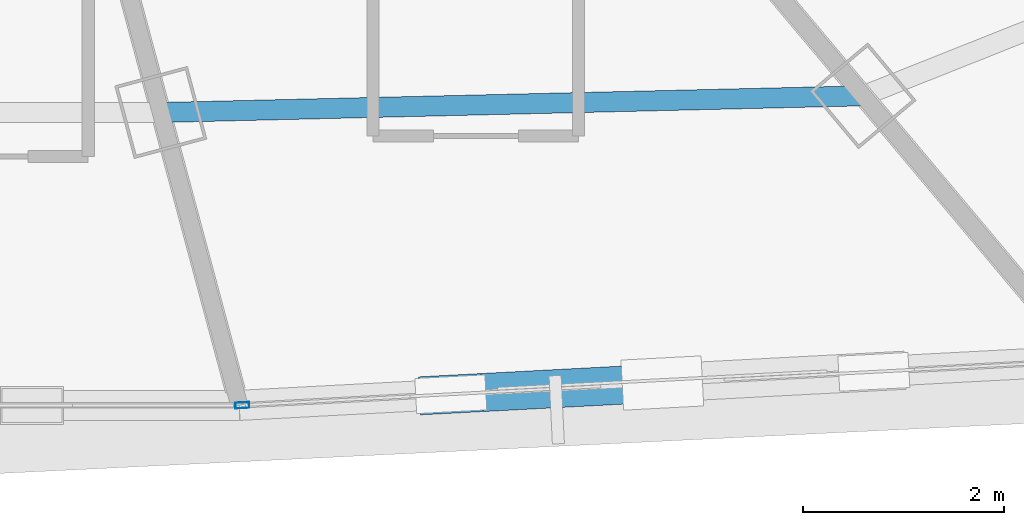
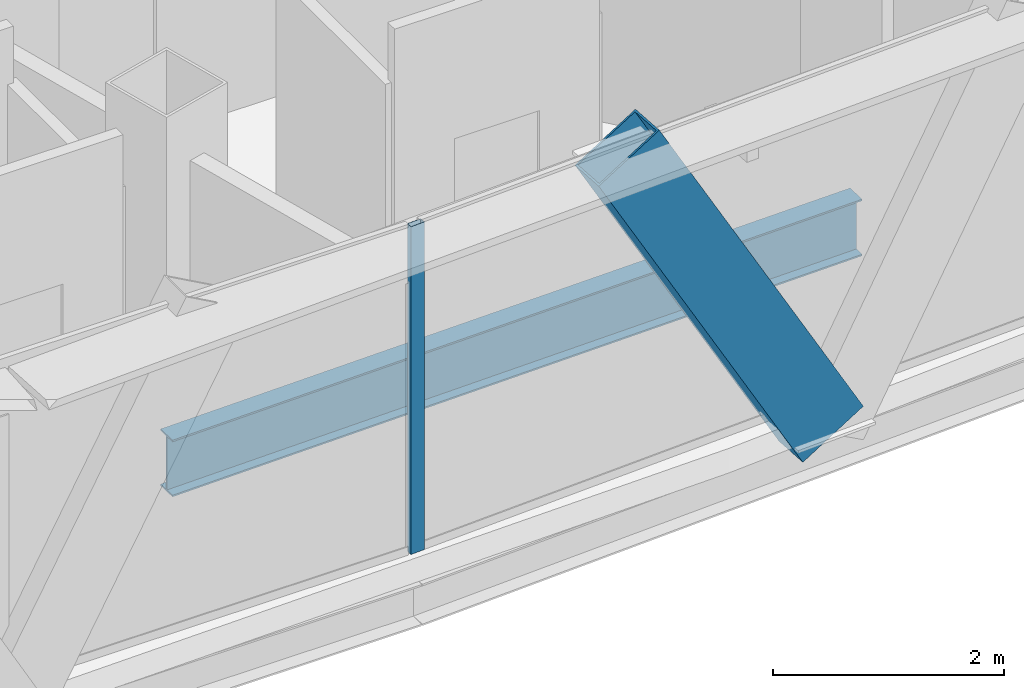
# One storey, part 10 of 37: 2 members, 1 beam, 1 element without a shape of its own.
"""IFC4 building model written with IfcOpenShell, lengths in metres."""

from ifc_helpers import new_model, si_unit, direction, frame, origin, origin_2d, place, context, subcontext, project, spatial, hollow_rectangle, i_section, extrude, source, transform, mapped, material, layer, layer_set, material_profile, profile_set, type_object, element, aggregate, save


model = new_model("IFC4")

# Units and contexts
model_context = context("Model", 3, precision=1e-05, world=origin(), true_north=direction((0.0, 1.0)))
body_context = subcontext(model_context, "Body", "Model", "MODEL_VIEW")
ifc_project = project(units=[si_unit("LENGTHUNIT", "METRE"), si_unit("AREAUNIT", "SQUARE_METRE"), si_unit("VOLUMEUNIT", "CUBIC_METRE"), si_unit("PLANEANGLEUNIT", "RADIAN"), si_unit("MASSUNIT", "GRAM", prefix="KILO"), si_unit("THERMODYNAMICTEMPERATUREUNIT", "KELVIN"), si_unit("POWERUNIT", "WATT")], contexts=[model_context])

# Site, building, storey
site_placement = place(None, origin())
site = spatial("IfcSite", under=ifc_project, at=site_placement, CompositionType="ELEMENT")
building_placement = place(site_placement, origin())
building = spatial("IfcBuilding", under=site, at=building_placement, Name="Yunzhuo Pagoda Commons", CompositionType="ELEMENT")
storey_placement = place(building_placement, frame((0.0, 0.0, 281.2900390625)))
storey = spatial("IfcBuildingStorey", under=building, at=storey_placement, Name="L70", CompositionType="ELEMENT", Elevation=281.2900390625)

# Beam
ifc_material_1 = material(Name="Structural steel Q355B", Category="steel")
ifc_material_profile_1 = material_profile(ifc_material_1, i_section(OverallWidth=0.199951171875, OverallDepth=0.60009765625, WebThickness=0.010986328125, FlangeThickness=0.01708984375, at=origin_2d()), Name="Structural steel Q355B")
ifc_profile_set_1 = profile_set([ifc_material_profile_1], Name="Structural steel Q355B")
beam_type = type_object("IfcBeamType", Name="B-RG3 Beam HN 600x200x11x17", PredefinedType="BEAM", material=ifc_profile_set_1)
shared_shape_1 = source(origin(), body_context, "Body", "SweptSolid", [
    extrude(i_section(OverallWidth=0.199951171875, OverallDepth=0.60009765625, WebThickness=0.010986328125, FlangeThickness=0.01708984375, at=origin_2d()), origin(), (0.0, 0.0, 1.0), 7.0048828125),
])
beam_placement = place(storey_placement, frame((51.3505859375, 21.195556640625, -0.559814453125), z_axis=(0.99971911704, 0.023699937233, 0.0), x_axis=(-0.023699937233, 0.99971911704, 0.0)))
element("IfcBeam", 1, at=beam_placement, inside=storey, type_object=beam_type, Name="L70 column-ring beam 3", PredefinedType="BEAM", context=body_context, shape_type="MappedRepresentation", body=[
    mapped(shared_shape_1, transform((0.0, 0.0, 0.0), scale=1.0)),
])

# Member
ifc_material_profile_2 = material_profile(ifc_material_1, hollow_rectangle(XDim=0.3798828125, YDim=0.719970703125, WallThickness=0.02001953125, at=origin_2d()), Name="Structural steel Q355B")
ifc_profile_set_2 = profile_set([ifc_material_profile_2], Name="Structural steel Q355B")
member_type_1 = type_object("IfcMemberType", Name="M-DL3 Brace BOX 720x380x20", PredefinedType="BRACE", material=ifc_profile_set_2)
shared_shape_2 = source(origin(), body_context, "Body", "SweptSolid", [
    extrude(hollow_rectangle(XDim=0.3798828125, YDim=0.719970703125, WallThickness=0.02001953125, at=origin_2d()), origin(), (0.0, 0.0, 1.0), 4.286376953125),
])
member_1_placement = place(storey_placement, frame((56.350830078125, 18.498291015625, -0.260009765625), z_axis=(-0.492003137812, -0.026029802498, 0.870204206934), x_axis=(0.052831878149, -0.998603421109, 0.0)))
element("IfcMember", 2, at=member_1_placement, inside=storey, type_object=member_type_1, Name="L70 facade diamond brace F1.3L", PredefinedType="BRACE", context=body_context, shape_type="MappedRepresentation", body=[
    mapped(shared_shape_2, transform((0.0, 0.0, 0.0), scale=1.0)),
])

# Curtain wall, member
ifc_material_2 = material(Name="Anodized aluminium 6063-T6", Category="aluminium")
ifc_layer = layer(ifc_material_2, 0.139892578125)
ifc_layer_set = layer_set([ifc_layer], Name="Anodized aluminium 6063-T6")
curtain_wall_type = type_object("IfcCurtainWallType", Name="CW-HI High-Zone Ribbon Curtain Wall", PredefinedType="NOTDEFINED", material=ifc_layer_set)
curtain_wall_placement = place(storey_placement, origin())
curtain_wall = element("IfcCurtainWall", 3, at=curtain_wall_placement, inside=storey, type_object=curtain_wall_type, Name="L70 curtain wall CW-L70-F1B4", PredefinedType="NOTDEFINED")
ifc_material_profile_3 = material_profile(ifc_material_2, hollow_rectangle(XDim=0.06005859375, YDim=0.139892578125, WallThickness=0.00341796875, at=origin_2d()), Name="Anodized aluminium 6063-T6")
ifc_profile_set_3 = profile_set([ifc_material_profile_3], Name="Anodized aluminium 6063-T6")
member_type_2 = type_object("IfcMemberType", Name="CW-HI-M Mullion RHS 140x60x3.5", PredefinedType="MULLION", material=ifc_profile_set_3)
shared_shape_3 = source(origin(), body_context, "Body", "SweptSolid", [
    extrude(hollow_rectangle(XDim=0.06005859375, YDim=0.139892578125, WallThickness=0.00341796875, at=origin_2d()), origin(), (0.0, 0.0, 1.0), 3.469970703125),
])
member_2_placement = place(storey_placement, frame((52.1630859375, 18.276611328125, 0.0), z_axis=(0.0, 0.0, 1.0), x_axis=(-0.052821657014, 0.998603961814, 0.0)))
member_2 = element("IfcMember", 4, at=member_2_placement, type_object=member_type_2, Name="CW mullion 1", PredefinedType="MULLION", context=body_context, shape_type="MappedRepresentation", body=[
    mapped(shared_shape_3, transform((0.0, 0.0, 0.0), scale=1.0)),
])
aggregate(curtain_wall, [member_2])

save(model, "model.ifc")
